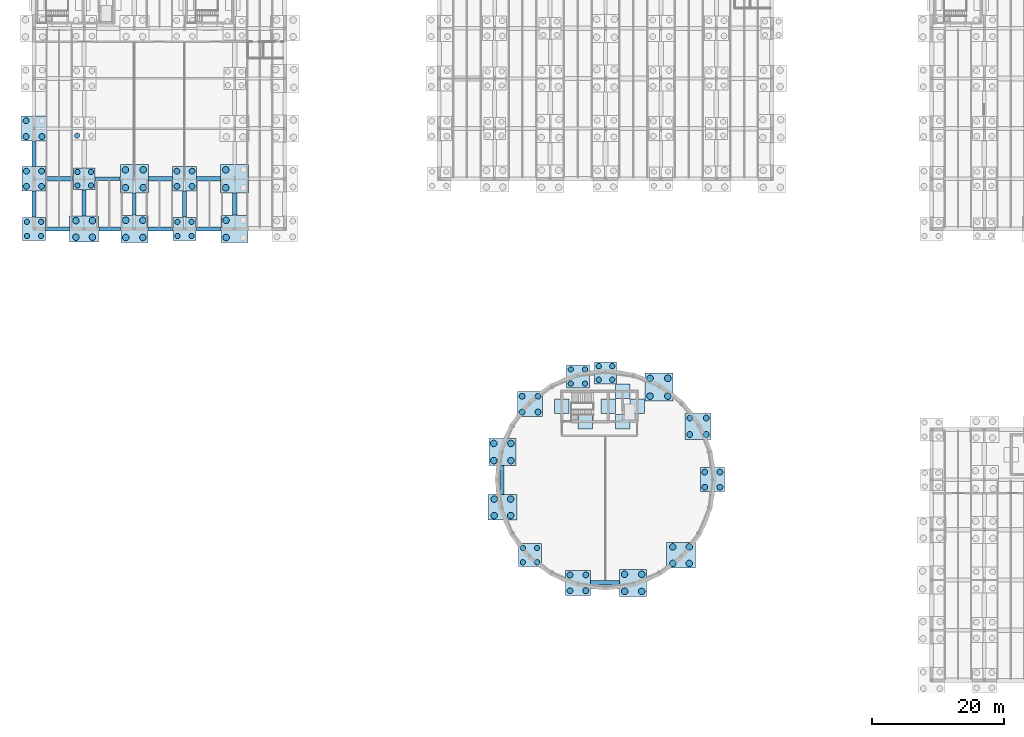
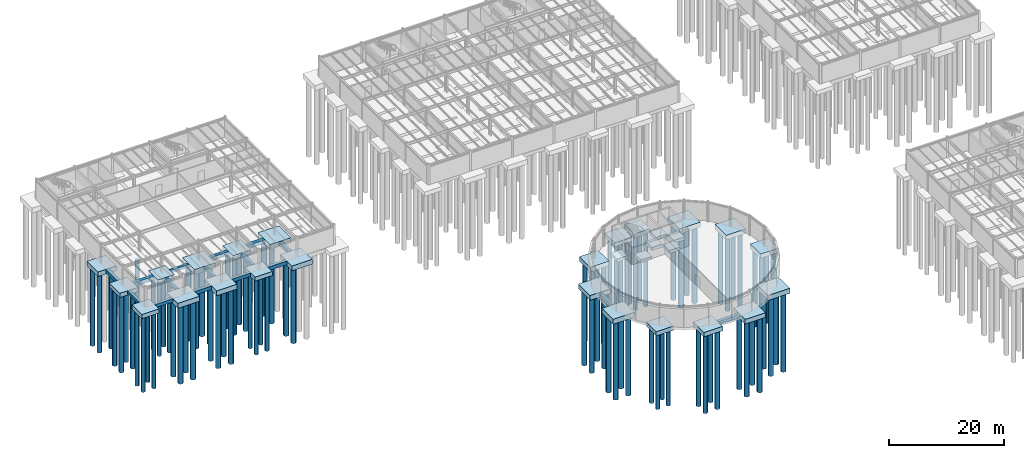
# One storey, part 1 of 33: 88 piles, 45 footings.
"""IFC4 building model written with IfcOpenShell, lengths in metres."""

from ifc_helpers import new_model, si_unit, direction, frame, origin, origin_2d, place, context, subcontext, project, spatial, rectangle, circle, extrude, material, material_profile, profile_set, type_object, element, save


model = new_model("IFC4")

# Units and contexts
model_context = context("Model", 3, precision=1e-05, world=origin(), true_north=direction((0.0, 1.0)))
body_context = subcontext(model_context, "Body", "Model", "MODEL_VIEW")
ifc_project = project(units=[si_unit("LENGTHUNIT", "METRE"), si_unit("AREAUNIT", "SQUARE_METRE"), si_unit("VOLUMEUNIT", "CUBIC_METRE"), si_unit("PLANEANGLEUNIT", "RADIAN"), si_unit("MASSUNIT", "GRAM", prefix="KILO")], contexts=[model_context])

# Site, building, storey
site_placement = place(None, origin())
site = spatial("IfcSite", under=ifc_project, at=site_placement, CompositionType="ELEMENT")
building_placement = place(site_placement, origin())
building = spatial("IfcBuilding", under=site, at=building_placement, Name="Montecoro Central Library", CompositionType="ELEMENT")
storey_placement = place(building_placement, frame((0.0, 0.0, -4.419921875)))
storey = spatial("IfcBuildingStorey", under=building, at=storey_placement, Name="B1", CompositionType="ELEMENT", Elevation=-4.419921875)

# Footings
ifc_material = material(Name="Concrete C35/45", Category="concrete")
footing_type_1 = type_object("IfcFootingType", Name="FT-PAD-220", PredefinedType="PAD_FOOTING", material=ifc_material)
for number, where, z_axis, x_axis, name in (
    (1, (88.5, 44.199951171875, -1.150146484375), (0.0, 0.0, 1.0), (1.0, 0.0, 0.0), "FT-WALL-C1-WS"),
    (2, (85.0, 46.5, -1.150146484375), (0.0, 0.0, 1.0), (1.0, 0.0, 0.0), "FT-WALL-C1-WW"),
    (3, (92.0, 46.5, -1.150146484375), (0.0, 0.0, 1.0), (1.0, 0.0, 0.0), "FT-WALL-C1-WE"),
    (4, (94.199951171875, 44.199951171875, -1.150146484375), (0.0, 0.0, 1.0), (1.0, 0.0, 0.0), "FT-WALL-C1-LWS"),
    (5, (94.199951171875, 48.800048828125, -1.150146484375), (0.0, 0.0, 1.0), (1.0, 0.0, 0.0), "FT-WALL-C1-LWN"),
    (6, (96.39990234375, 46.5, -1.150146484375), (0.0, 0.0, 1.0), (1.0, 0.0, 0.0), "FT-WALL-C1-LWE"),
):
    element("IfcFooting", number, at=place(storey_placement, frame(where, z_axis=z_axis, x_axis=x_axis)), inside=storey, type_object=footing_type_1, Name=name, PredefinedType="PAD_FOOTING", context=body_context, shape_type="SweptSolid", body=[
        extrude(rectangle(XDim=2.199951171875, YDim=2.199951171875, at=origin_2d()), origin(), (0.0, 0.0, 1.0), 0.64990234375),
    ])
footing_type_2 = type_object("IfcFootingType", Name="FT-PC-330", PredefinedType="PILE_CAP", material=ifc_material)
for number, where, z_axis, x_axis, name in (
    (7, (12.60009765625, 81.0, -0.85009765625), (0.0, 0.0, 1.0), (1.0, 0.0, 0.0), "V4-CAP-2-L"),
    (8, (91.60009765625, 51.580078125, -0.85009765625), (0.0, 0.0, 1.0), (1.0, 0.0, 0.0), "V1-CAP-P07"),
):
    element("IfcFooting", number, at=place(storey_placement, frame(where, z_axis=z_axis, x_axis=x_axis)), inside=storey, type_object=footing_type_2, Name=name, PredefinedType="PILE_CAP", context=body_context, shape_type="SweptSolid", body=[
        extrude(rectangle(XDim=3.300048828125, YDim=3.300048828125, at=origin_2d()), origin(), (0.0, 0.0, 1.0), 0.85009765625),
    ])
footing_type_3 = type_object("IfcFootingType", Name="FT-PC-350", PredefinedType="PILE_CAP", material=ifc_material)
for number, where, z_axis, x_axis, name in (
    (9, (5.0, 73.39990234375, -0.880126953125), (0.0, 0.0, 1.0), (1.0, 0.0, 0.0), "V4-CAP-1-K"),
    (10, (27.800048828125, 73.39990234375, -0.880126953125), (0.0, 0.0, 1.0), (1.0, 0.0, 0.0), "V4-CAP-4-K"),
    (11, (87.412109375, 51.029052734375, -0.880126953125), (0.0, 0.0, 1.0), (1.0, 0.0, 0.0), "V1-CAP-P08"),
    (12, (80.158935546875, 23.958984375, -0.880126953125), (0.0, 0.0, 1.0), (1.0, 0.0, 0.0), "V1-CAP-P16"),
):
    element("IfcFooting", number, at=place(storey_placement, frame(where, z_axis=z_axis, x_axis=x_axis)), inside=storey, type_object=footing_type_3, Name=name, PredefinedType="PILE_CAP", context=body_context, shape_type="SweptSolid", body=[
        extrude(rectangle(XDim=3.5, YDim=3.5, at=origin_2d()), origin(), (0.0, 0.0, 1.0), 0.8798828125),
    ])
footing_type_4 = type_object("IfcFootingType", Name="FT-PC-365", PredefinedType="PILE_CAP", material=ifc_material)
for number, where, z_axis, x_axis, name in (
    (13, (5.0, 81.0, -0.900146484375), (0.0, 0.0, 1.0), (1.0, 0.0, 0.0), "V4-CAP-1-L"),
    (14, (27.800048828125, 81.0, -0.900146484375), (0.0, 0.0, 1.0), (1.0, 0.0, 0.0), "V4-CAP-4-L"),
    (15, (107.780029296875, 35.39990234375, -0.900146484375), (0.0, 0.0, 1.0), (1.0, 0.0, 0.0), "V1-CAP-P01"),
):
    element("IfcFooting", number, at=place(storey_placement, frame(where, z_axis=z_axis, x_axis=x_axis)), inside=storey, type_object=footing_type_4, Name=name, PredefinedType="PILE_CAP", context=body_context, shape_type="SweptSolid", body=[
        extrude(rectangle(XDim=3.64990234375, YDim=3.64990234375, at=origin_2d()), origin(), (0.0, 0.0, 1.0), 0.89990234375),
    ])
footing_type_5 = type_object("IfcFootingType", Name="FT-PC-380", PredefinedType="PILE_CAP", material=ifc_material)
for number, where, z_axis, x_axis, name in (
    (16, (5.0, 88.60009765625, -0.9501953125), (0.0, 0.0, 1.0), (1.0, 0.0, 0.0), "V4-CAP-1-M"),
    (17, (80.158935546875, 46.841064453125, -0.9501953125), (0.0, 0.0, 1.0), (1.0, 0.0, 0.0), "V1-CAP-P10"),
    (18, (87.412109375, 19.77099609375, -0.9501953125), (0.0, 0.0, 1.0), (1.0, 0.0, 0.0), "V1-CAP-P18"),
):
    element("IfcFooting", number, at=place(storey_placement, frame(where, z_axis=z_axis, x_axis=x_axis)), inside=storey, type_object=footing_type_5, Name=name, PredefinedType="PILE_CAP", context=body_context, shape_type="SweptSolid", body=[
        extrude(rectangle(XDim=3.800048828125, YDim=3.800048828125, at=origin_2d()), origin(), (0.0, 0.0, 1.0), 0.949951171875),
    ])
footing_type_6 = type_object("IfcFootingType", Name="FT-PC-395", PredefinedType="PILE_CAP", material=ifc_material)
footing_1_placement = place(storey_placement, frame((105.612060546875, 43.489990234375, -0.97998046875), z_axis=(0.0, 0.0, 1.0), x_axis=(1.0, 0.0, 0.0)))
element("IfcFooting", 19, at=footing_1_placement, inside=storey, type_object=footing_type_6, Name="V1-CAP-P03", PredefinedType="PILE_CAP", context=body_context, shape_type="SweptSolid", body=[
    extrude(rectangle(XDim=3.949951171875, YDim=3.949951171875, at=origin_2d()), origin(), (0.0, 0.0, 1.0), 0.97998046875),
])
footing_type_7 = type_object("IfcFootingType", Name="FT-PC-410", PredefinedType="PILE_CAP", material=ifc_material)
for number, where, z_axis, x_axis, name in (
    (20, (20.199951171875, 73.39990234375, -1.02001953125), (0.0, 0.0, 1.0), (1.0, 0.0, 0.0), "V4-CAP-3-K"),
    (21, (35.39990234375, 73.39990234375, -1.02001953125), (0.0, 0.0, 1.0), (1.0, 0.0, 0.0), "V4-CAP-5-K"),
    (22, (75.970947265625, 39.587890625, -1.02001953125), (0.0, 0.0, 1.0), (1.0, 0.0, 0.0), "V1-CAP-P12"),
    (23, (95.7880859375, 19.77099609375, -1.02001953125), (0.0, 0.0, 1.0), (1.0, 0.0, 0.0), "V1-CAP-P20"),
):
    element("IfcFooting", number, at=place(storey_placement, frame(where, z_axis=z_axis, x_axis=x_axis)), inside=storey, type_object=footing_type_7, Name=name, PredefinedType="PILE_CAP", context=body_context, shape_type="SweptSolid", body=[
        extrude(rectangle(XDim=4.10009765625, YDim=4.10009765625, at=origin_2d()), origin(), (0.0, 0.0, 1.0), 1.02001953125),
    ])
footing_type_8 = type_object("IfcFootingType", Name="FT-PC-425", PredefinedType="PILE_CAP", material=ifc_material)
for number, where, z_axis, x_axis, name in (
    (24, (20.199951171875, 81.0, -1.06005859375), (0.0, 0.0, 1.0), (1.0, 0.0, 0.0), "V4-CAP-3-L"),
    (25, (35.39990234375, 81.0, -1.06005859375), (0.0, 0.0, 1.0), (1.0, 0.0, 0.0), "V4-CAP-5-L"),
    (26, (99.68994140625, 49.412109375, -1.06005859375), (0.0, 0.0, 1.0), (1.0, 0.0, 0.0), "V1-CAP-P05"),
):
    element("IfcFooting", number, at=place(storey_placement, frame(where, z_axis=z_axis, x_axis=x_axis)), inside=storey, type_object=footing_type_8, Name=name, PredefinedType="PILE_CAP", context=body_context, shape_type="SweptSolid", body=[
        extrude(rectangle(XDim=4.25, YDim=4.25, at=origin_2d()), origin(), (0.0, 0.0, 1.0), 1.06005859375),
    ])
footing_type_9 = type_object("IfcFootingType", Name="FT-PC-440", PredefinedType="PILE_CAP", material=ifc_material)
for number, where, z_axis, x_axis, name in (
    (27, (12.60009765625, 73.39990234375, -1.05029296875), (0.0, 0.0, 1.0), (1.0, 0.0, 0.0), "V4-CAP-2-K"),
    (28, (75.970947265625, 31.2119140625, -1.05029296875), (0.0, 0.0, 1.0), (1.0, 0.0, 0.0), "V1-CAP-P14"),
    (29, (103.041015625, 23.958984375, -1.05029296875), (0.0, 0.0, 1.0), (1.0, 0.0, 0.0), "V1-CAP-P22"),
):
    element("IfcFooting", number, at=place(storey_placement, frame(where, z_axis=z_axis, x_axis=x_axis)), inside=storey, type_object=footing_type_9, Name=name, PredefinedType="PILE_CAP", context=body_context, shape_type="SweptSolid", body=[
        extrude(rectangle(XDim=4.39990234375, YDim=3.89990234375, at=origin_2d()), origin(), (0.0, 0.0, 1.0), 1.050048828125),
    ])
footing_type_10 = type_object("IfcFootingType", Name="FT-TB-01", PredefinedType="FOOTING_BEAM", material=ifc_material)
footing_2_placement = place(storey_placement, frame((16.1630859375, 81.0, -0.60009765625), z_axis=(0.0, 0.0, 1.0), x_axis=(1.0, 0.0, 0.0)))
element("IfcFooting", 30, at=footing_2_placement, inside=storey, type_object=footing_type_10, Name="FT-TBX-015", PredefinedType="FOOTING_BEAM", context=body_context, shape_type="SweptSolid", body=[
    extrude(rectangle(XDim=3.784912109375, YDim=0.5, at=origin_2d()), origin(), (0.0, 0.0, 1.0), 0.60009765625),
])
footing_type_11 = type_object("IfcFootingType", Name="FT-TB-02", PredefinedType="FOOTING_BEAM", material=ifc_material)
footing_3_placement = place(storey_placement, frame((5.0, 77.162109375, -0.650146484375), z_axis=(0.0, 0.0, 1.0), x_axis=(1.0, 0.0, 0.0)))
element("IfcFooting", 31, at=footing_3_placement, inside=storey, type_object=footing_type_11, Name="FT-TBY-001", PredefinedType="FOOTING_BEAM", context=body_context, shape_type="SweptSolid", body=[
    extrude(rectangle(XDim=0.550048828125, YDim=3.985107421875, at=origin_2d()), origin(), (0.0, 0.0, 1.0), 0.64990234375),
])
footing_4_placement = place(storey_placement, frame((20.199951171875, 77.162109375, -0.650146484375), z_axis=(0.0, 0.0, 1.0), x_axis=(1.0, 0.0, 0.0)))
element("IfcFooting", 32, at=footing_4_placement, inside=storey, type_object=footing_type_11, Name="FT-TBY-021", PredefinedType="FOOTING_BEAM", context=body_context, shape_type="SweptSolid", body=[
    extrude(rectangle(XDim=0.550048828125, YDim=3.385009765625, at=origin_2d()), origin(), (0.0, 0.0, 1.0), 0.64990234375),
])
footing_5_placement = place(storey_placement, frame((75.970947265625, 35.35009765625, -0.650146484375), z_axis=(0.0, 0.0, 1.0), x_axis=(1.0, 0.0, 0.0)))
element("IfcFooting", 33, at=footing_5_placement, inside=storey, type_object=footing_type_11, Name="FT-TBY-071", PredefinedType="FOOTING_BEAM", context=body_context, shape_type="SweptSolid", body=[
    extrude(rectangle(XDim=0.550048828125, YDim=4.3359375, at=origin_2d()), origin(), (0.0, 0.0, 1.0), 0.64990234375),
])
footing_type_12 = type_object("IfcFootingType", Name="FT-TB-03", PredefinedType="FOOTING_BEAM", material=ifc_material)
footing_6_placement = place(storey_placement, frame((8.574951171875, 73.39990234375, -0.7001953125), z_axis=(0.0, 0.0, 1.0), x_axis=(1.0, 0.0, 0.0)))
element("IfcFooting", 34, at=footing_6_placement, inside=storey, type_object=footing_type_12, Name="FT-TBX-002", PredefinedType="FOOTING_BEAM", context=body_context, shape_type="SweptSolid", body=[
    extrude(rectangle(XDim=3.610107421875, YDim=0.60009765625, at=origin_2d()), origin(), (0.0, 0.0, 1.0), 0.699951171875),
])
footing_7_placement = place(storey_placement, frame((12.60009765625, 77.35009765625, -0.7001953125), z_axis=(0.0, 0.0, 1.0), x_axis=(1.0, 0.0, 0.0)))
element("IfcFooting", 35, at=footing_7_placement, inside=storey, type_object=footing_type_12, Name="FT-TBY-012", PredefinedType="FOOTING_BEAM", context=body_context, shape_type="SweptSolid", body=[
    extrude(rectangle(XDim=0.60009765625, YDim=3.9599609375, at=origin_2d()), origin(), (0.0, 0.0, 1.0), 0.699951171875),
])
footing_8_placement = place(storey_placement, frame((24.14990234375, 73.39990234375, -0.7001953125), z_axis=(0.0, 0.0, 1.0), x_axis=(1.0, 0.0, 0.0)))
element("IfcFooting", 36, at=footing_8_placement, inside=storey, type_object=footing_type_12, Name="FT-TBX-022", PredefinedType="FOOTING_BEAM", context=body_context, shape_type="SweptSolid", body=[
    extrude(rectangle(XDim=3.760009765625, YDim=0.60009765625, at=origin_2d()), origin(), (0.0, 0.0, 1.0), 0.699951171875),
])
footing_9_placement = place(storey_placement, frame((27.800048828125, 77.162109375, -0.7001953125), z_axis=(0.0, 0.0, 1.0), x_axis=(1.0, 0.0, 0.0)))
element("IfcFooting", 37, at=footing_9_placement, inside=storey, type_object=footing_type_12, Name="FT-TBY-027", PredefinedType="FOOTING_BEAM", context=body_context, shape_type="SweptSolid", body=[
    extrude(rectangle(XDim=0.60009765625, YDim=3.985107421875, at=origin_2d()), origin(), (0.0, 0.0, 1.0), 0.699951171875),
])
footing_type_13 = type_object("IfcFootingType", Name="FT-TB-04", PredefinedType="FOOTING_BEAM", material=ifc_material)
footing_10_placement = place(storey_placement, frame((5.0, 84.762939453125, -0.75), z_axis=(0.0, 0.0, 1.0), x_axis=(1.0, 0.0, 0.0)))
element("IfcFooting", 38, at=footing_10_placement, inside=storey, type_object=footing_type_13, Name="FT-TBY-003", PredefinedType="FOOTING_BEAM", context=body_context, shape_type="SweptSolid", body=[
    extrude(rectangle(XDim=0.64990234375, YDim=3.8349609375, at=origin_2d()), origin(), (0.0, 0.0, 1.0), 0.75),
])
footing_11_placement = place(storey_placement, frame((16.47509765625, 73.39990234375, -0.75), z_axis=(0.0, 0.0, 1.0), x_axis=(1.0, 0.0, 0.0)))
element("IfcFooting", 39, at=footing_11_placement, inside=storey, type_object=footing_type_13, Name="FT-TBX-013", PredefinedType="FOOTING_BEAM", context=body_context, shape_type="SweptSolid", body=[
    extrude(rectangle(XDim=3.31005859375, YDim=0.64990234375, at=origin_2d()), origin(), (0.0, 0.0, 1.0), 0.75),
])
footing_12_placement = place(storey_placement, frame((24.14990234375, 81.0, -0.75), z_axis=(0.0, 0.0, 1.0), x_axis=(1.0, 0.0, 0.0)))
element("IfcFooting", 40, at=footing_12_placement, inside=storey, type_object=footing_type_13, Name="FT-TBX-023", PredefinedType="FOOTING_BEAM", context=body_context, shape_type="SweptSolid", body=[
    extrude(rectangle(XDim=3.610107421875, YDim=0.64990234375, at=origin_2d()), origin(), (0.0, 0.0, 1.0), 0.75),
])
footing_13_placement = place(storey_placement, frame((31.449951171875, 73.39990234375, -0.75), z_axis=(0.0, 0.0, 1.0), x_axis=(1.0, 0.0, 0.0)))
element("IfcFooting", 41, at=footing_13_placement, inside=storey, type_object=footing_type_13, Name="FT-TBX-028", PredefinedType="FOOTING_BEAM", context=body_context, shape_type="SweptSolid", body=[
    extrude(rectangle(XDim=3.760009765625, YDim=0.64990234375, at=origin_2d()), origin(), (0.0, 0.0, 1.0), 0.75),
])
footing_14_placement = place(storey_placement, frame((35.39990234375, 77.162109375, -0.75), z_axis=(0.0, 0.0, 1.0), x_axis=(1.0, 0.0, 0.0)))
element("IfcFooting", 42, at=footing_14_placement, inside=storey, type_object=footing_type_13, Name="FT-TBY-033", PredefinedType="FOOTING_BEAM", context=body_context, shape_type="SweptSolid", body=[
    extrude(rectangle(XDim=0.64990234375, YDim=3.385009765625, at=origin_2d()), origin(), (0.0, 0.0, 1.0), 0.75),
])
footing_15_placement = place(storey_placement, frame((91.52490234375, 19.77099609375, -0.75), z_axis=(0.0, 0.0, 1.0), x_axis=(1.0, 0.0, 0.0)))
element("IfcFooting", 43, at=footing_15_placement, inside=storey, type_object=footing_type_13, Name="FT-TBX-083", PredefinedType="FOOTING_BEAM", context=body_context, shape_type="SweptSolid", body=[
    extrude(rectangle(XDim=4.385986328125, YDim=0.64990234375, at=origin_2d()), origin(), (0.0, 0.0, 1.0), 0.75),
])
footing_type_14 = type_object("IfcFootingType", Name="FT-TB-05", PredefinedType="FOOTING_BEAM", material=ifc_material)
footing_16_placement = place(storey_placement, frame((8.886962890625, 81.0, -0.80029296875), z_axis=(0.0, 0.0, 1.0), x_axis=(1.0, 0.0, 0.0)))
element("IfcFooting", 44, at=footing_16_placement, inside=storey, type_object=footing_type_14, Name="FT-TBX-004", PredefinedType="FOOTING_BEAM", context=body_context, shape_type="SweptSolid", body=[
    extrude(rectangle(XDim=4.0849609375, YDim=0.699951171875, at=origin_2d()), origin(), (0.0, 0.0, 1.0), 0.800048828125),
])
footing_17_placement = place(storey_placement, frame((31.449951171875, 81.0, -0.80029296875), z_axis=(0.0, 0.0, 1.0), x_axis=(1.0, 0.0, 0.0)))
element("IfcFooting", 45, at=footing_17_placement, inside=storey, type_object=footing_type_14, Name="FT-TBX-029", PredefinedType="FOOTING_BEAM", context=body_context, shape_type="SweptSolid", body=[
    extrude(rectangle(XDim=3.610107421875, YDim=0.699951171875, at=origin_2d()), origin(), (0.0, 0.0, 1.0), 0.800048828125),
])

# Piles
ifc_material_profile_1 = material_profile(ifc_material, circle(Radius=0.5, at=origin_2d()), Name="PILE D1000")
ifc_profile_set_1 = profile_set([ifc_material_profile_1], Name="Concrete C35/45")
pile_type_1 = type_object("IfcPileType", Name="PL-BORED-1000", PredefinedType="BORED", material=ifc_profile_set_1)
for number, where, z_axis, x_axis, name in (
    (46, (11.35009765625, 72.14990234375, -0.9501953125), (0.0, 0.0, -1.0), (1.0, 0.0, 0.0), "V4-CAP-2-K-P1"),
    (47, (11.35009765625, 74.64990234375, -0.9501953125), (0.0, 0.0, -1.0), (1.0, 0.0, 0.0), "V4-CAP-2-K-P2"),
    (48, (13.85009765625, 72.14990234375, -0.9501953125), (0.0, 0.0, -1.0), (1.0, 0.0, 0.0), "V4-CAP-2-K-P3"),
    (49, (13.85009765625, 74.64990234375, -0.9501953125), (0.0, 0.0, -1.0), (1.0, 0.0, 0.0), "V4-CAP-2-K-P4"),
):
    element("IfcPile", number, at=place(storey_placement, frame(where, z_axis=z_axis, x_axis=x_axis)), inside=storey, type_object=pile_type_1, Name=name, PredefinedType="BORED", context=body_context, shape_type="SweptSolid", body=[
        extrude(circle(Radius=0.5, at=origin_2d()), origin(), (0.0, 0.0, 1.0), 16.679931640625),
    ])
for number, where, z_axis, x_axis, name in (
    (50, (18.89990234375, 72.10009765625, -0.920166015625), (0.0, 0.0, -1.0), (1.0, 0.0, 0.0), "V4-CAP-3-K-P1"),
    (51, (18.89990234375, 74.699951171875, -0.920166015625), (0.0, 0.0, -1.0), (1.0, 0.0, 0.0), "V4-CAP-3-K-P2"),
    (52, (21.5, 72.10009765625, -0.920166015625), (0.0, 0.0, -1.0), (1.0, 0.0, 0.0), "V4-CAP-3-K-P3"),
    (53, (21.5, 74.699951171875, -0.920166015625), (0.0, 0.0, -1.0), (1.0, 0.0, 0.0), "V4-CAP-3-K-P4"),
):
    element("IfcPile", number, at=place(storey_placement, frame(where, z_axis=z_axis, x_axis=x_axis)), inside=storey, type_object=pile_type_1, Name=name, PredefinedType="BORED", context=body_context, shape_type="SweptSolid", body=[
        extrude(circle(Radius=0.5, at=origin_2d()), origin(), (0.0, 0.0, 1.0), 16.010009765625),
    ])
for number, where, z_axis, x_axis, name in (
    (54, (18.85009765625, 79.64990234375, -0.9599609375), (0.0, 0.0, -1.0), (1.0, 0.0, 0.0), "V4-CAP-3-L-P1"),
    (55, (18.85009765625, 82.35009765625, -0.9599609375), (0.0, 0.0, -1.0), (1.0, 0.0, 0.0), "V4-CAP-3-L-P2"),
    (56, (21.550048828125, 79.64990234375, -0.9599609375), (0.0, 0.0, -1.0), (1.0, 0.0, 0.0), "V4-CAP-3-L-P3"),
    (57, (21.550048828125, 82.35009765625, -0.9599609375), (0.0, 0.0, -1.0), (1.0, 0.0, 0.0), "V4-CAP-3-L-P4"),
):
    element("IfcPile", number, at=place(storey_placement, frame(where, z_axis=z_axis, x_axis=x_axis)), inside=storey, type_object=pile_type_1, Name=name, PredefinedType="BORED", context=body_context, shape_type="SweptSolid", body=[
        extrude(circle(Radius=0.5, at=origin_2d()), origin(), (0.0, 0.0, 1.0), 16.320068359375),
    ])
for number, where, z_axis, x_axis, name in (
    (58, (34.10009765625, 72.10009765625, -0.920166015625), (0.0, 0.0, -1.0), (1.0, 0.0, 0.0), "V4-CAP-5-K-P1"),
    (59, (34.10009765625, 74.699951171875, -0.920166015625), (0.0, 0.0, -1.0), (1.0, 0.0, 0.0), "V4-CAP-5-K-P2"),
):
    element("IfcPile", number, at=place(storey_placement, frame(where, z_axis=z_axis, x_axis=x_axis)), inside=storey, type_object=pile_type_1, Name=name, PredefinedType="BORED", context=body_context, shape_type="SweptSolid", body=[
        extrude(circle(Radius=0.5, at=origin_2d()), origin(), (0.0, 0.0, 1.0), 16.010009765625),
    ])
for number, where, z_axis, x_axis, name in (
    (60, (34.050048828125, 79.64990234375, -0.9599609375), (0.0, 0.0, -1.0), (1.0, 0.0, 0.0), "V4-CAP-5-L-P1"),
    (61, (34.050048828125, 82.35009765625, -0.9599609375), (0.0, 0.0, -1.0), (1.0, 0.0, 0.0), "V4-CAP-5-L-P2"),
    (62, (98.340087890625, 48.06201171875, -0.9599609375), (0.0, 0.0, -1.0), (1.0, 0.0, 0.0), "V1-CAP-P05-P1"),
    (63, (98.340087890625, 50.761962890625, -0.9599609375), (0.0, 0.0, -1.0), (1.0, 0.0, 0.0), "V1-CAP-P05-P2"),
    (64, (101.0400390625, 48.06201171875, -0.9599609375), (0.0, 0.0, -1.0), (1.0, 0.0, 0.0), "V1-CAP-P05-P3"),
    (65, (101.0400390625, 50.761962890625, -0.9599609375), (0.0, 0.0, -1.0), (1.0, 0.0, 0.0), "V1-CAP-P05-P4"),
):
    element("IfcPile", number, at=place(storey_placement, frame(where, z_axis=z_axis, x_axis=x_axis)), inside=storey, type_object=pile_type_1, Name=name, PredefinedType="BORED", context=body_context, shape_type="SweptSolid", body=[
        extrude(circle(Radius=0.5, at=origin_2d()), origin(), (0.0, 0.0, 1.0), 16.320068359375),
    ])
for number, where, z_axis, x_axis, name in (
    (66, (74.6708984375, 38.2880859375, -0.920166015625), (0.0, 0.0, -1.0), (1.0, 0.0, 0.0), "V1-CAP-P12-P1"),
    (67, (74.6708984375, 40.887939453125, -0.920166015625), (0.0, 0.0, -1.0), (1.0, 0.0, 0.0), "V1-CAP-P12-P2"),
    (68, (77.27099609375, 38.2880859375, -0.920166015625), (0.0, 0.0, -1.0), (1.0, 0.0, 0.0), "V1-CAP-P12-P3"),
    (69, (77.27099609375, 40.887939453125, -0.920166015625), (0.0, 0.0, -1.0), (1.0, 0.0, 0.0), "V1-CAP-P12-P4"),
):
    element("IfcPile", number, at=place(storey_placement, frame(where, z_axis=z_axis, x_axis=x_axis)), inside=storey, type_object=pile_type_1, Name=name, PredefinedType="BORED", context=body_context, shape_type="SweptSolid", body=[
        extrude(circle(Radius=0.5, at=origin_2d()), origin(), (0.0, 0.0, 1.0), 16.010009765625),
    ])
for number, where, z_axis, x_axis, name in (
    (70, (74.720947265625, 29.9619140625, -0.9501953125), (0.0, 0.0, -1.0), (1.0, 0.0, 0.0), "V1-CAP-P14-P1"),
    (71, (74.720947265625, 32.4619140625, -0.9501953125), (0.0, 0.0, -1.0), (1.0, 0.0, 0.0), "V1-CAP-P14-P2"),
    (72, (77.220947265625, 29.9619140625, -0.9501953125), (0.0, 0.0, -1.0), (1.0, 0.0, 0.0), "V1-CAP-P14-P3"),
    (73, (77.220947265625, 32.4619140625, -0.9501953125), (0.0, 0.0, -1.0), (1.0, 0.0, 0.0), "V1-CAP-P14-P4"),
):
    element("IfcPile", number, at=place(storey_placement, frame(where, z_axis=z_axis, x_axis=x_axis)), inside=storey, type_object=pile_type_1, Name=name, PredefinedType="BORED", context=body_context, shape_type="SweptSolid", body=[
        extrude(circle(Radius=0.5, at=origin_2d()), origin(), (0.0, 0.0, 1.0), 16.679931640625),
    ])
for number, where, z_axis, x_axis, name in (
    (74, (94.488037109375, 18.470947265625, -0.920166015625), (0.0, 0.0, -1.0), (1.0, 0.0, 0.0), "V1-CAP-P20-P1"),
    (75, (94.488037109375, 21.071044921875, -0.920166015625), (0.0, 0.0, -1.0), (1.0, 0.0, 0.0), "V1-CAP-P20-P2"),
    (76, (97.087890625, 18.470947265625, -0.920166015625), (0.0, 0.0, -1.0), (1.0, 0.0, 0.0), "V1-CAP-P20-P3"),
    (77, (97.087890625, 21.071044921875, -0.920166015625), (0.0, 0.0, -1.0), (1.0, 0.0, 0.0), "V1-CAP-P20-P4"),
):
    element("IfcPile", number, at=place(storey_placement, frame(where, z_axis=z_axis, x_axis=x_axis)), inside=storey, type_object=pile_type_1, Name=name, PredefinedType="BORED", context=body_context, shape_type="SweptSolid", body=[
        extrude(circle(Radius=0.5, at=origin_2d()), origin(), (0.0, 0.0, 1.0), 16.010009765625),
    ])
for number, where, z_axis, x_axis, name in (
    (78, (101.791015625, 22.708984375, -0.9501953125), (0.0, 0.0, -1.0), (1.0, 0.0, 0.0), "V1-CAP-P22-P1"),
    (79, (101.791015625, 25.208984375, -0.9501953125), (0.0, 0.0, -1.0), (1.0, 0.0, 0.0), "V1-CAP-P22-P2"),
    (80, (104.291015625, 22.708984375, -0.9501953125), (0.0, 0.0, -1.0), (1.0, 0.0, 0.0), "V1-CAP-P22-P3"),
    (81, (104.291015625, 25.208984375, -0.9501953125), (0.0, 0.0, -1.0), (1.0, 0.0, 0.0), "V1-CAP-P22-P4"),
):
    element("IfcPile", number, at=place(storey_placement, frame(where, z_axis=z_axis, x_axis=x_axis)), inside=storey, type_object=pile_type_1, Name=name, PredefinedType="BORED", context=body_context, shape_type="SweptSolid", body=[
        extrude(circle(Radius=0.5, at=origin_2d()), origin(), (0.0, 0.0, 1.0), 16.679931640625),
    ])
ifc_material_profile_2 = material_profile(ifc_material, circle(Radius=0.39990234375, at=origin_2d()), Name="PILE D800")
ifc_profile_set_2 = profile_set([ifc_material_profile_2], Name="Concrete C35/45")
pile_type_2 = type_object("IfcPileType", Name="PL-BORED-800", PredefinedType="BORED", material=ifc_profile_set_2)
for number, where, z_axis, x_axis, name in (
    (82, (3.925048828125, 72.324951171875, -0.780029296875), (0.0, 0.0, -1.0), (1.0, 0.0, 0.0), "V4-CAP-1-K-P1"),
    (83, (3.925048828125, 74.47509765625, -0.780029296875), (0.0, 0.0, -1.0), (1.0, 0.0, 0.0), "V4-CAP-1-K-P2"),
    (84, (6.074951171875, 72.324951171875, -0.780029296875), (0.0, 0.0, -1.0), (1.0, 0.0, 0.0), "V4-CAP-1-K-P3"),
    (85, (6.074951171875, 74.47509765625, -0.780029296875), (0.0, 0.0, -1.0), (1.0, 0.0, 0.0), "V4-CAP-1-K-P4"),
):
    element("IfcPile", number, at=place(storey_placement, frame(where, z_axis=z_axis, x_axis=x_axis)), inside=storey, type_object=pile_type_2, Name=name, PredefinedType="BORED", context=body_context, shape_type="SweptSolid", body=[
        extrude(circle(Radius=0.39990234375, at=origin_2d()), origin(), (0.0, 0.0, 1.0), 16.14990234375),
    ])
for number, where, z_axis, x_axis, name in (
    (86, (11.574951171875, 79.97509765625, -0.75), (0.0, 0.0, -1.0), (1.0, 0.0, 0.0), "V4-CAP-2-L-P1"),
    (87, (11.574951171875, 82.02490234375, -0.75), (0.0, 0.0, -1.0), (1.0, 0.0, 0.0), "V4-CAP-2-L-P2"),
    (88, (13.625, 79.97509765625, -0.75), (0.0, 0.0, -1.0), (1.0, 0.0, 0.0), "V4-CAP-2-L-P3"),
    (89, (13.625, 82.02490234375, -0.75), (0.0, 0.0, -1.0), (1.0, 0.0, 0.0), "V4-CAP-2-L-P4"),
):
    element("IfcPile", number, at=place(storey_placement, frame(where, z_axis=z_axis, x_axis=x_axis)), inside=storey, type_object=pile_type_2, Name=name, PredefinedType="BORED", context=body_context, shape_type="SweptSolid", body=[
        extrude(circle(Radius=0.39990234375, at=origin_2d()), origin(), (0.0, 0.0, 1.0), 15.830078125),
    ])
for number, where, z_axis, x_axis, name in (
    (90, (11.52490234375, 87.52490234375, -0.780029296875), (0.0, 0.0, -1.0), (1.0, 0.0, 0.0), "V4-CAP-2-M-P1"),
    (91, (26.72509765625, 72.324951171875, -0.780029296875), (0.0, 0.0, -1.0), (1.0, 0.0, 0.0), "V4-CAP-4-K-P1"),
    (92, (26.72509765625, 74.47509765625, -0.780029296875), (0.0, 0.0, -1.0), (1.0, 0.0, 0.0), "V4-CAP-4-K-P2"),
    (93, (28.875, 72.324951171875, -0.780029296875), (0.0, 0.0, -1.0), (1.0, 0.0, 0.0), "V4-CAP-4-K-P3"),
    (94, (28.875, 74.47509765625, -0.780029296875), (0.0, 0.0, -1.0), (1.0, 0.0, 0.0), "V4-CAP-4-K-P4"),
):
    element("IfcPile", number, at=place(storey_placement, frame(where, z_axis=z_axis, x_axis=x_axis)), inside=storey, type_object=pile_type_2, Name=name, PredefinedType="BORED", context=body_context, shape_type="SweptSolid", body=[
        extrude(circle(Radius=0.39990234375, at=origin_2d()), origin(), (0.0, 0.0, 1.0), 16.14990234375),
    ])
for number, where, z_axis, x_axis, name in (
    (95, (90.574951171875, 50.554931640625, -0.75), (0.0, 0.0, -1.0), (1.0, 0.0, 0.0), "V1-CAP-P07-P1"),
    (96, (90.574951171875, 52.60498046875, -0.75), (0.0, 0.0, -1.0), (1.0, 0.0, 0.0), "V1-CAP-P07-P2"),
    (97, (92.625, 50.554931640625, -0.75), (0.0, 0.0, -1.0), (1.0, 0.0, 0.0), "V1-CAP-P07-P3"),
    (98, (92.625, 52.60498046875, -0.75), (0.0, 0.0, -1.0), (1.0, 0.0, 0.0), "V1-CAP-P07-P4"),
):
    element("IfcPile", number, at=place(storey_placement, frame(where, z_axis=z_axis, x_axis=x_axis)), inside=storey, type_object=pile_type_2, Name=name, PredefinedType="BORED", context=body_context, shape_type="SweptSolid", body=[
        extrude(circle(Radius=0.39990234375, at=origin_2d()), origin(), (0.0, 0.0, 1.0), 15.830078125),
    ])
for number, where, z_axis, x_axis, name in (
    (99, (86.3369140625, 49.9541015625, -0.780029296875), (0.0, 0.0, -1.0), (1.0, 0.0, 0.0), "V1-CAP-P08-P1"),
    (100, (86.3369140625, 52.10400390625, -0.780029296875), (0.0, 0.0, -1.0), (1.0, 0.0, 0.0), "V1-CAP-P08-P2"),
    (101, (88.487060546875, 49.9541015625, -0.780029296875), (0.0, 0.0, -1.0), (1.0, 0.0, 0.0), "V1-CAP-P08-P3"),
    (102, (88.487060546875, 52.10400390625, -0.780029296875), (0.0, 0.0, -1.0), (1.0, 0.0, 0.0), "V1-CAP-P08-P4"),
    (103, (79.083984375, 22.884033203125, -0.780029296875), (0.0, 0.0, -1.0), (1.0, 0.0, 0.0), "V1-CAP-P16-P1"),
    (104, (79.083984375, 25.033935546875, -0.780029296875), (0.0, 0.0, -1.0), (1.0, 0.0, 0.0), "V1-CAP-P16-P2"),
    (105, (81.23388671875, 22.884033203125, -0.780029296875), (0.0, 0.0, -1.0), (1.0, 0.0, 0.0), "V1-CAP-P16-P3"),
    (106, (81.23388671875, 25.033935546875, -0.780029296875), (0.0, 0.0, -1.0), (1.0, 0.0, 0.0), "V1-CAP-P16-P4"),
):
    element("IfcPile", number, at=place(storey_placement, frame(where, z_axis=z_axis, x_axis=x_axis)), inside=storey, type_object=pile_type_2, Name=name, PredefinedType="BORED", context=body_context, shape_type="SweptSolid", body=[
        extrude(circle(Radius=0.39990234375, at=origin_2d()), origin(), (0.0, 0.0, 1.0), 16.14990234375),
    ])
ifc_material_profile_3 = material_profile(ifc_material, circle(Radius=0.449951171875, at=origin_2d()), Name="PILE D900")
ifc_profile_set_3 = profile_set([ifc_material_profile_3], Name="Concrete C35/45")
pile_type_3 = type_object("IfcPileType", Name="PL-BORED-900", PredefinedType="BORED", material=ifc_profile_set_3)
for number, where, z_axis, x_axis, name in (
    (107, (3.85009765625, 79.85009765625, -0.800048828125), (0.0, 0.0, -1.0), (1.0, 0.0, 0.0), "V4-CAP-1-L-P1"),
    (108, (3.85009765625, 82.14990234375, -0.800048828125), (0.0, 0.0, -1.0), (1.0, 0.0, 0.0), "V4-CAP-1-L-P2"),
    (109, (6.14990234375, 79.85009765625, -0.800048828125), (0.0, 0.0, -1.0), (1.0, 0.0, 0.0), "V4-CAP-1-L-P3"),
    (110, (6.14990234375, 82.14990234375, -0.800048828125), (0.0, 0.0, -1.0), (1.0, 0.0, 0.0), "V4-CAP-1-L-P4"),
):
    element("IfcPile", number, at=place(storey_placement, frame(where, z_axis=z_axis, x_axis=x_axis)), inside=storey, type_object=pile_type_3, Name=name, PredefinedType="BORED", context=body_context, shape_type="SweptSolid", body=[
        extrude(circle(Radius=0.449951171875, at=origin_2d()), origin(), (0.0, 0.0, 1.0), 16.47998046875),
    ])
for number, where, z_axis, x_axis, name in (
    (111, (3.800048828125, 87.39990234375, -0.85009765625), (0.0, 0.0, -1.0), (1.0, 0.0, 0.0), "V4-CAP-1-M-P1"),
    (112, (3.800048828125, 89.800048828125, -0.85009765625), (0.0, 0.0, -1.0), (1.0, 0.0, 0.0), "V4-CAP-1-M-P2"),
    (113, (6.199951171875, 87.39990234375, -0.85009765625), (0.0, 0.0, -1.0), (1.0, 0.0, 0.0), "V4-CAP-1-M-P3"),
):
    element("IfcPile", number, at=place(storey_placement, frame(where, z_axis=z_axis, x_axis=x_axis)), inside=storey, type_object=pile_type_3, Name=name, PredefinedType="BORED", context=body_context, shape_type="SweptSolid", body=[
        extrude(circle(Radius=0.449951171875, at=origin_2d()), origin(), (0.0, 0.0, 1.0), 16.780029296875),
    ])
for number, where, z_axis, x_axis, name in (
    (114, (26.64990234375, 79.85009765625, -0.800048828125), (0.0, 0.0, -1.0), (1.0, 0.0, 0.0), "V4-CAP-4-L-P1"),
    (115, (26.64990234375, 82.14990234375, -0.800048828125), (0.0, 0.0, -1.0), (1.0, 0.0, 0.0), "V4-CAP-4-L-P2"),
    (116, (28.949951171875, 79.85009765625, -0.800048828125), (0.0, 0.0, -1.0), (1.0, 0.0, 0.0), "V4-CAP-4-L-P3"),
    (117, (28.949951171875, 82.14990234375, -0.800048828125), (0.0, 0.0, -1.0), (1.0, 0.0, 0.0), "V4-CAP-4-L-P4"),
    (118, (106.6298828125, 34.25, -0.800048828125), (0.0, 0.0, -1.0), (1.0, 0.0, 0.0), "V1-CAP-P01-P1"),
    (119, (106.6298828125, 36.550048828125, -0.800048828125), (0.0, 0.0, -1.0), (1.0, 0.0, 0.0), "V1-CAP-P01-P2"),
    (120, (108.929931640625, 34.25, -0.800048828125), (0.0, 0.0, -1.0), (1.0, 0.0, 0.0), "V1-CAP-P01-P3"),
    (121, (108.929931640625, 36.550048828125, -0.800048828125), (0.0, 0.0, -1.0), (1.0, 0.0, 0.0), "V1-CAP-P01-P4"),
):
    element("IfcPile", number, at=place(storey_placement, frame(where, z_axis=z_axis, x_axis=x_axis)), inside=storey, type_object=pile_type_3, Name=name, PredefinedType="BORED", context=body_context, shape_type="SweptSolid", body=[
        extrude(circle(Radius=0.449951171875, at=origin_2d()), origin(), (0.0, 0.0, 1.0), 16.47998046875),
    ])
for number, where, z_axis, x_axis, name in (
    (122, (104.362060546875, 42.239990234375, -0.880126953125), (0.0, 0.0, -1.0), (1.0, 0.0, 0.0), "V1-CAP-P03-P1"),
    (123, (104.362060546875, 44.739990234375, -0.880126953125), (0.0, 0.0, -1.0), (1.0, 0.0, 0.0), "V1-CAP-P03-P2"),
    (124, (106.862060546875, 42.239990234375, -0.880126953125), (0.0, 0.0, -1.0), (1.0, 0.0, 0.0), "V1-CAP-P03-P3"),
    (125, (106.862060546875, 44.739990234375, -0.880126953125), (0.0, 0.0, -1.0), (1.0, 0.0, 0.0), "V1-CAP-P03-P4"),
):
    element("IfcPile", number, at=place(storey_placement, frame(where, z_axis=z_axis, x_axis=x_axis)), inside=storey, type_object=pile_type_3, Name=name, PredefinedType="BORED", context=body_context, shape_type="SweptSolid", body=[
        extrude(circle(Radius=0.449951171875, at=origin_2d()), origin(), (0.0, 0.0, 1.0), 15.699951171875),
    ])
for number, where, z_axis, x_axis, name in (
    (126, (78.958984375, 45.64111328125, -0.85009765625), (0.0, 0.0, -1.0), (1.0, 0.0, 0.0), "V1-CAP-P10-P1"),
    (127, (78.958984375, 48.041015625, -0.85009765625), (0.0, 0.0, -1.0), (1.0, 0.0, 0.0), "V1-CAP-P10-P2"),
    (128, (81.35888671875, 45.64111328125, -0.85009765625), (0.0, 0.0, -1.0), (1.0, 0.0, 0.0), "V1-CAP-P10-P3"),
    (129, (81.35888671875, 48.041015625, -0.85009765625), (0.0, 0.0, -1.0), (1.0, 0.0, 0.0), "V1-CAP-P10-P4"),
    (130, (86.2119140625, 18.571044921875, -0.85009765625), (0.0, 0.0, -1.0), (1.0, 0.0, 0.0), "V1-CAP-P18-P1"),
    (131, (86.2119140625, 20.970947265625, -0.85009765625), (0.0, 0.0, -1.0), (1.0, 0.0, 0.0), "V1-CAP-P18-P2"),
    (132, (88.612060546875, 18.571044921875, -0.85009765625), (0.0, 0.0, -1.0), (1.0, 0.0, 0.0), "V1-CAP-P18-P3"),
    (133, (88.612060546875, 20.970947265625, -0.85009765625), (0.0, 0.0, -1.0), (1.0, 0.0, 0.0), "V1-CAP-P18-P4"),
):
    element("IfcPile", number, at=place(storey_placement, frame(where, z_axis=z_axis, x_axis=x_axis)), inside=storey, type_object=pile_type_3, Name=name, PredefinedType="BORED", context=body_context, shape_type="SweptSolid", body=[
        extrude(circle(Radius=0.449951171875, at=origin_2d()), origin(), (0.0, 0.0, 1.0), 16.780029296875),
    ])

save(model, "model.ifc")
